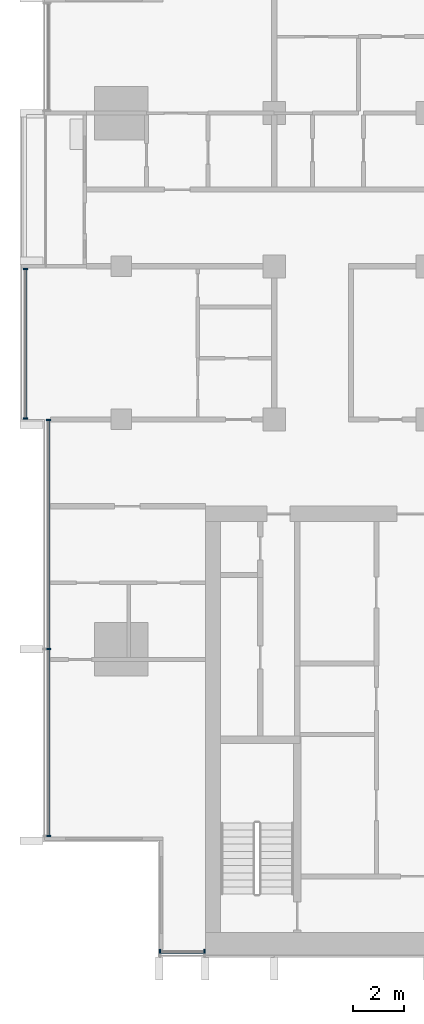
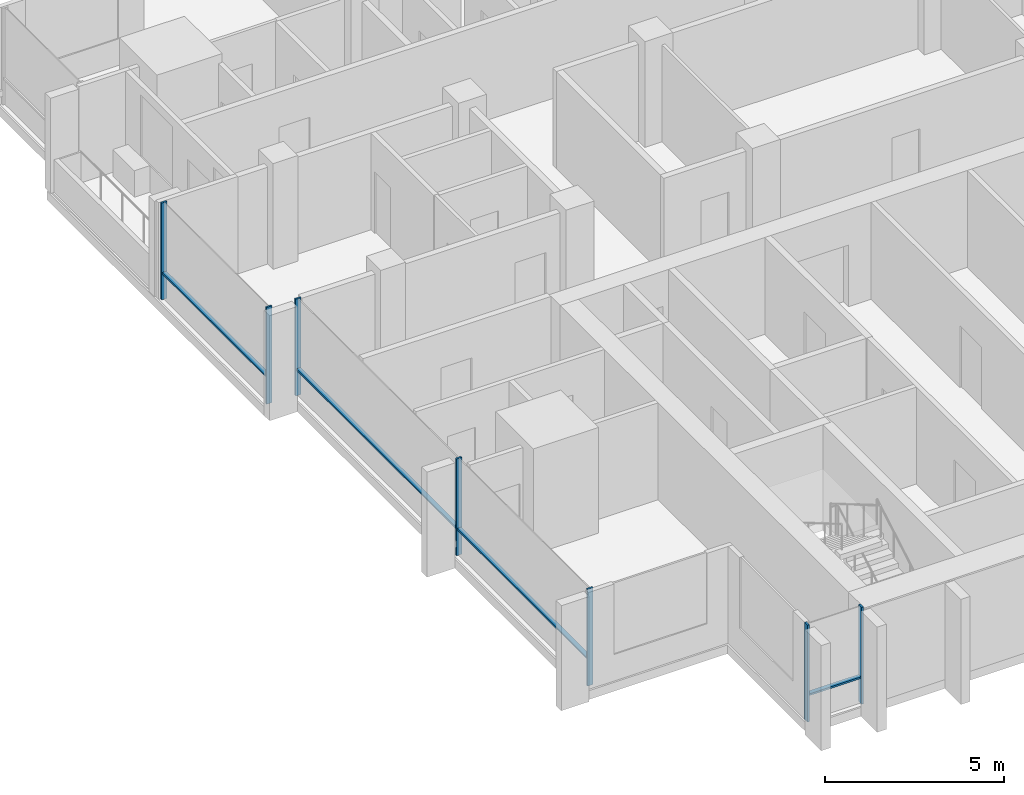
# One storey, part 2 of 16: 11 members, 3 elements without a shape of their own.
"""IFC4 building model written with IfcOpenShell, lengths in metres."""

from ifc_helpers import new_model, si_unit, direction, frame, origin, origin_2d, place, context, subcontext, project, spatial, rectangle, extrude, material, material_profile, profile_set, type_object, element, aggregate, save


model = new_model("IFC4")

# Units and contexts
model_context = context("Model", 3, precision=1e-05, world=origin(), true_north=direction((0.0, 1.0)))
body_context = subcontext(model_context, "Body", "Model", "MODEL_VIEW")
ifc_project = project(units=[si_unit("LENGTHUNIT", "METRE"), si_unit("AREAUNIT", "SQUARE_METRE"), si_unit("VOLUMEUNIT", "CUBIC_METRE"), si_unit("PLANEANGLEUNIT", "RADIAN"), si_unit("MASSUNIT", "GRAM", prefix="KILO")], contexts=[model_context])

# Site, building, storey
site_placement = place(None, origin())
site = spatial("IfcSite", under=ifc_project, at=site_placement, CompositionType="ELEMENT")
building_placement = place(site_placement, origin())
building = spatial("IfcBuilding", under=site, at=building_placement, Name="Finial Court Residences", CompositionType="ELEMENT")
storey_placement = place(building_placement, frame((0.0, 0.0, 223.10009765625)))
storey = spatial("IfcBuildingStorey", under=building, at=storey_placement, Name="L56", CompositionType="ELEMENT", Elevation=223.10009765625)

# Curtain wall, members
ifc_material = material(Name="Bronze anodised aluminium", Category="aluminium")
curtain_wall_type = type_object("IfcCurtainWallType", Name="Unitised curtain wall, upper zones", PredefinedType="NOTDEFINED", material=ifc_material)
curtain_wall_1_placement = place(storey_placement, origin())
curtain_wall_1 = element("IfcCurtainWall", 1, at=curtain_wall_1_placement, inside=storey, type_object=curtain_wall_type, Name="E-L56-CW-S7", PredefinedType="NOTDEFINED")
ifc_material_profile_1 = material_profile(ifc_material, rectangle(XDim=0.175048828125, YDim=0.06005859375, at=origin_2d()), Name="CW2 mullion 60 x 175")
ifc_profile_set_1 = profile_set([ifc_material_profile_1], Name="Bronze anodised aluminium")
member_type_1 = type_object("IfcMemberType", Name="CW2 mullion 60 x 175", PredefinedType="MULLION", material=ifc_profile_set_1)
member_1_placement = place(storey_placement, frame((-14.969970703125, -25.35009765625, 0.0), z_axis=(0.0, 0.0, 1.0), x_axis=(0.0, 1.0, 0.0)))
member_1 = element("IfcMember", 2, at=member_1_placement, type_object=member_type_1, Name="CW2 mullion 1", PredefinedType="MULLION", context=body_context, shape_type="SweptSolid", body=[
    extrude(rectangle(XDim=0.175048828125, YDim=0.06005859375, at=origin_2d()), origin(), (0.0, 0.0, 1.0), 3.2998046875),
])
member_2_placement = place(storey_placement, frame((-13.22998046875, -25.35009765625, 0.0), z_axis=(0.0, 0.0, 1.0), x_axis=(0.0, 1.0, 0.0)))
member_2 = element("IfcMember", 3, at=member_2_placement, type_object=member_type_1, Name="CW2 mullion 2", PredefinedType="MULLION", context=body_context, shape_type="SweptSolid", body=[
    extrude(rectangle(XDim=0.175048828125, YDim=0.06005859375, at=origin_2d()), origin(), (0.0, 0.0, 1.0), 3.2998046875),
])

curtain_wall_2_placement = place(storey_placement, origin())
curtain_wall_2 = element("IfcCurtainWall", 4, at=curtain_wall_2_placement, inside=storey, type_object=curtain_wall_type, Name="E-L56-CW-W9", PredefinedType="NOTDEFINED")
member_3_placement = place(storey_placement, frame((-19.35009765625, -20.820068359375, 0.0), z_axis=(0.0, 0.0, 1.0), x_axis=(-1.0, 0.0, 0.0)))
member_3 = element("IfcMember", 5, at=member_3_placement, type_object=member_type_1, Name="CW2 mullion 1", PredefinedType="MULLION", context=body_context, shape_type="SweptSolid", body=[
    extrude(rectangle(XDim=0.175048828125, YDim=0.06005859375, at=origin_2d()), origin(), (0.0, 0.0, 1.0), 3.2998046875),
])
member_4_placement = place(storey_placement, frame((-19.35009765625, -13.5, 0.0), z_axis=(0.0, 0.0, 1.0), x_axis=(-1.0, 0.0, 0.0)))
member_4 = element("IfcMember", 6, at=member_4_placement, type_object=member_type_1, Name="CW2 mullion 2", PredefinedType="MULLION", context=body_context, shape_type="SweptSolid", body=[
    extrude(rectangle(XDim=0.175048828125, YDim=0.06005859375, at=origin_2d()), origin(), (0.0, 0.0, 1.0), 3.2998046875),
])
member_5_placement = place(storey_placement, frame((-19.35009765625, -4.530029296875, 0.0), z_axis=(0.0, 0.0, 1.0), x_axis=(-1.0, 0.0, 0.0)))
member_5 = element("IfcMember", 7, at=member_5_placement, type_object=member_type_1, Name="CW2 mullion 3", PredefinedType="MULLION", context=body_context, shape_type="SweptSolid", body=[
    extrude(rectangle(XDim=0.175048828125, YDim=0.06005859375, at=origin_2d()), origin(), (0.0, 0.0, 1.0), 3.2998046875),
])

curtain_wall_3_placement = place(storey_placement, origin())
curtain_wall_3 = element("IfcCurtainWall", 8, at=curtain_wall_3_placement, inside=storey, type_object=curtain_wall_type, Name="E-L56-CW-W10", PredefinedType="NOTDEFINED")
member_6_placement = place(storey_placement, frame((-20.25, -4.469970703125, 0.0), z_axis=(0.0, 0.0, 1.0), x_axis=(-1.0, 0.0, 0.0)))
member_6 = element("IfcMember", 9, at=member_6_placement, type_object=member_type_1, Name="CW2 mullion 1", PredefinedType="MULLION", context=body_context, shape_type="SweptSolid", body=[
    extrude(rectangle(XDim=0.175048828125, YDim=0.06005859375, at=origin_2d()), origin(), (0.0, 0.0, 1.0), 3.2998046875),
])
member_7_placement = place(storey_placement, frame((-20.25, 1.39501953125, 0.0), z_axis=(0.0, 0.0, 1.0), x_axis=(-1.0, 0.0, 0.0)))
member_7 = element("IfcMember", 10, at=member_7_placement, type_object=member_type_1, Name="CW2 mullion 2", PredefinedType="MULLION", context=body_context, shape_type="SweptSolid", body=[
    extrude(rectangle(XDim=0.175048828125, YDim=0.06005859375, at=origin_2d()), origin(), (0.0, 0.0, 1.0), 3.2998046875),
])

# Member
ifc_material_profile_2 = material_profile(ifc_material, rectangle(XDim=0.139892578125, YDim=0.06005859375, at=origin_2d()), Name="CW2 transom 60 x 140")
ifc_profile_set_2 = profile_set([ifc_material_profile_2], Name="Bronze anodised aluminium")
member_type_2 = type_object("IfcMemberType", Name="CW2 transom 60 x 140", PredefinedType="USERDEFINED", material=ifc_profile_set_2)
member_8_placement = place(storey_placement, frame((-14.93994140625, -25.35009765625, 0.89990234375), z_axis=(1.0, 0.0, 0.0), x_axis=(0.0, 1.0, 0.0)))
member_8 = element("IfcMember", 11, at=member_8_placement, type_object=member_type_2, Name="CW2 transom 1.1", ObjectType="TRANSOM", PredefinedType="USERDEFINED", context=body_context, shape_type="SweptSolid", body=[
    extrude(rectangle(XDim=0.139892578125, YDim=0.06005859375, at=origin_2d()), origin(), (0.0, 0.0, 1.0), 1.679931640625),
])

aggregate(curtain_wall_1, [member_1, member_2, member_8])

member_9_placement = place(storey_placement, frame((-19.35009765625, -20.7900390625, 0.89990234375), z_axis=(0.0, 1.0, 0.0), x_axis=(-1.0, 0.0, 0.0)))
member_9 = element("IfcMember", 12, at=member_9_placement, type_object=member_type_2, Name="CW2 transom 1.1", ObjectType="TRANSOM", PredefinedType="USERDEFINED", context=body_context, shape_type="SweptSolid", body=[
    extrude(rectangle(XDim=0.139892578125, YDim=0.06005859375, at=origin_2d()), origin(), (0.0, 0.0, 1.0), 7.260009765625),
])

member_10_placement = place(storey_placement, frame((-19.35009765625, -13.469970703125, 0.89990234375), z_axis=(0.0, 1.0, 0.0), x_axis=(-1.0, 0.0, 0.0)))
member_10 = element("IfcMember", 13, at=member_10_placement, type_object=member_type_2, Name="CW2 transom 2.1", ObjectType="TRANSOM", PredefinedType="USERDEFINED", context=body_context, shape_type="SweptSolid", body=[
    extrude(rectangle(XDim=0.139892578125, YDim=0.06005859375, at=origin_2d()), origin(), (0.0, 0.0, 1.0), 8.909912109375),
])

aggregate(curtain_wall_2, [member_3, member_4, member_5, member_9, member_10])

member_11_placement = place(storey_placement, frame((-20.25, -4.43994140625, 0.89990234375), z_axis=(0.0, 1.0, 0.0), x_axis=(-1.0, 0.0, 0.0)))
member_11 = element("IfcMember", 14, at=member_11_placement, type_object=member_type_2, Name="CW2 transom 1.1", ObjectType="TRANSOM", PredefinedType="USERDEFINED", context=body_context, shape_type="SweptSolid", body=[
    extrude(rectangle(XDim=0.139892578125, YDim=0.06005859375, at=origin_2d()), origin(), (0.0, 0.0, 1.0), 5.804931640625),
])

aggregate(curtain_wall_3, [member_6, member_7, member_11])

save(model, "model.ifc")
